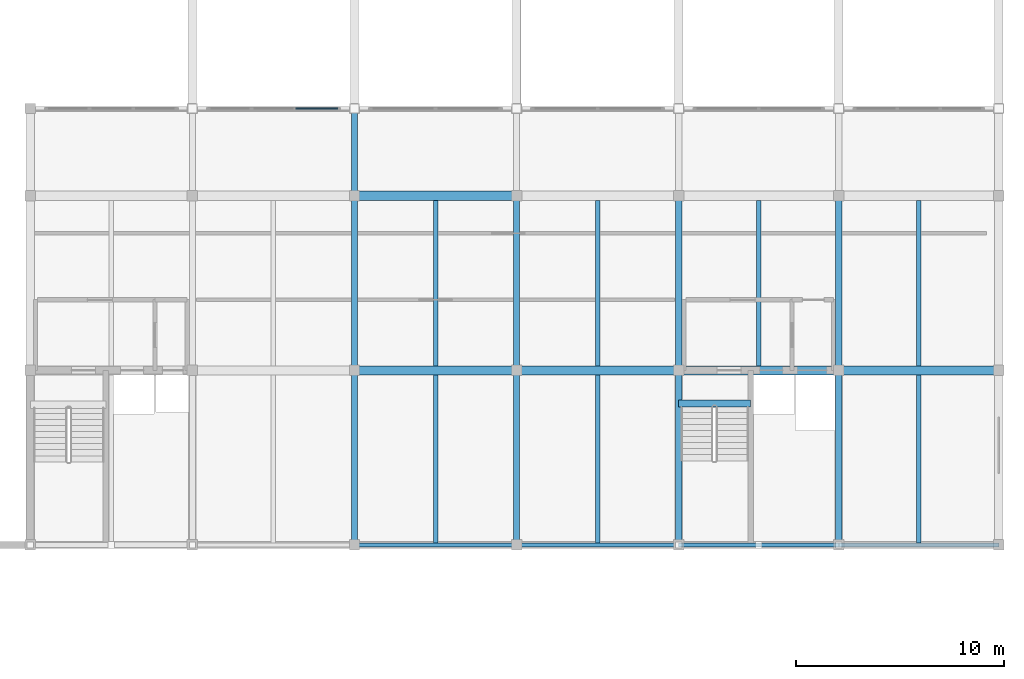
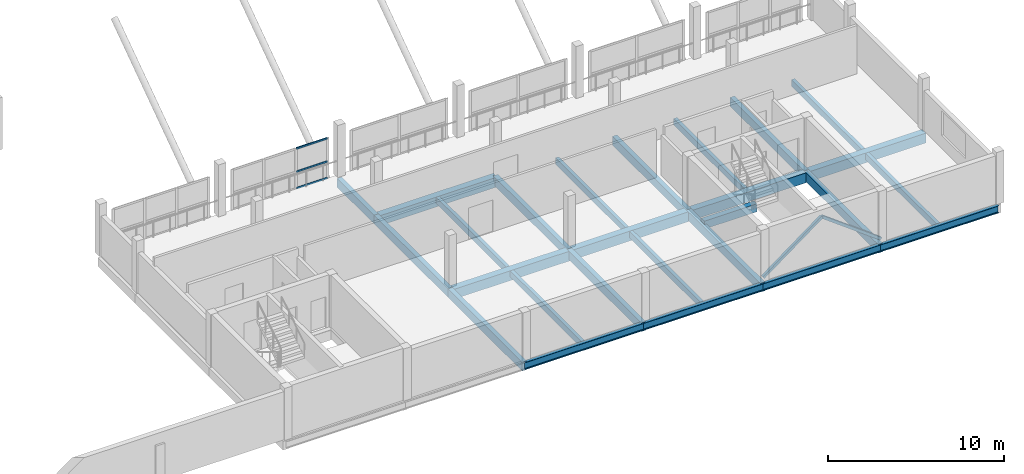
# One storey, part 27 of 51: 26 beams, 5 members, 1 element without a shape of its own.
"""IFC4 building model written with IfcOpenShell, lengths in metres."""

from ifc_helpers import new_model, si_unit, direction, frame, origin, origin_2d, place, context, subcontext, project, spatial, rectangle, hollow_rectangle, i_section, extrude, material, material_profile, profile_set, type_object, element, aggregate, save


model = new_model("IFC4")

# Units and contexts
model_context = context("Model", 3, precision=1e-05, world=origin(), true_north=direction((0.0, 1.0)))
body_context = subcontext(model_context, "Body", "Model", "MODEL_VIEW")
ifc_project = project(units=[si_unit("LENGTHUNIT", "METRE"), si_unit("AREAUNIT", "SQUARE_METRE"), si_unit("VOLUMEUNIT", "CUBIC_METRE"), si_unit("PLANEANGLEUNIT", "RADIAN"), si_unit("MASSUNIT", "GRAM", prefix="KILO")], contexts=[model_context])

# Site, building, storey
site_placement = place(None, origin())
site = spatial("IfcSite", under=ifc_project, at=site_placement, CompositionType="ELEMENT")
building_placement = place(site_placement, origin())
building = spatial("IfcBuilding", under=site, at=building_placement, Name="Vharandega Faculty of Natural Sciences", CompositionType="ELEMENT")
storey_placement = place(building_placement, frame((0.0, 0.0, 14.39990234375)))
storey = spatial("IfcBuildingStorey", under=building, at=storey_placement, Name="L03", CompositionType="ELEMENT", Elevation=14.39990234375)

# Curtain wall, members
ifc_material_1 = material(Name="Aluminium and solar-control glass curtain wall", Category="aluminium")
curtain_wall_type = type_object("IfcCurtainWallType", Name="Unitised Curtain Wall System CW-16", PredefinedType="NOTDEFINED", material=ifc_material_1)
curtain_wall_placement = place(storey_placement, origin())
curtain_wall = element("IfcCurtainWall", 1, at=curtain_wall_placement, inside=storey, type_object=curtain_wall_type, Name="Curtain Wall CW-L03-015", PredefinedType="NOTDEFINED")
ifc_material_2 = material(Name="Thermally broken aluminium 6063-T6", Category="aluminium")
ifc_material_profile_1 = material_profile(ifc_material_2, rectangle(XDim=0.06005859375, YDim=0.1201171875, at=origin_2d()), Name="ALU 60x120")
ifc_profile_set_1 = profile_set([ifc_material_profile_1], Name="Thermally broken aluminium 6063-T6")
member_type_1 = type_object("IfcMemberType", Name="CW Transom 60x120", PredefinedType="USERDEFINED", material=ifc_profile_set_1)
member_1_placement = place(storey_placement, frame((127.583251953125, 85.0, 0.030029296875), z_axis=(1.0, 0.0, 0.0), x_axis=(0.0, 1.0, 0.0)))
member_1 = element("IfcMember", 2, at=member_1_placement, type_object=member_type_1, Name="CW-16 transom 3.1", ObjectType="TRANSOM", PredefinedType="USERDEFINED", context=body_context, shape_type="SweptSolid", body=[
    extrude(rectangle(XDim=0.06005859375, YDim=0.1201171875, at=origin_2d()), origin(), (0.0, 0.0, 1.0), 2.016845703125),
])
member_2_placement = place(storey_placement, frame((127.583251953125, 85.0, 1.176025390625), z_axis=(1.0, 0.0, 0.0), x_axis=(0.0, 1.0, 0.0)))
member_2 = element("IfcMember", 3, at=member_2_placement, type_object=member_type_1, Name="CW-16 transom 3.2", ObjectType="TRANSOM", PredefinedType="USERDEFINED", context=body_context, shape_type="SweptSolid", body=[
    extrude(rectangle(XDim=0.06005859375, YDim=0.1201171875, at=origin_2d()), origin(), (0.0, 0.0, 1.0), 2.016845703125),
])
member_3_placement = place(storey_placement, frame((127.583251953125, 85.0, 2.77001953125), z_axis=(1.0, 0.0, 0.0), x_axis=(0.0, 1.0, 0.0)))
member_3 = element("IfcMember", 4, at=member_3_placement, type_object=member_type_1, Name="CW-16 transom 3.3", ObjectType="TRANSOM", PredefinedType="USERDEFINED", context=body_context, shape_type="SweptSolid", body=[
    extrude(rectangle(XDim=0.06005859375, YDim=0.1201171875, at=origin_2d()), origin(), (0.0, 0.0, 1.0), 2.016845703125),
])
aggregate(curtain_wall, [member_1, member_2, member_3])

# Beams
ifc_material_3 = material(Name="Glulam GL28h", Category="wood")
ifc_material_profile_2 = material_profile(ifc_material_3, rectangle(XDim=0.300048828125, YDim=0.60009765625, at=origin_2d()), Name="GL28h 300x600")
ifc_profile_set_2 = profile_set([ifc_material_profile_2], Name="Glulam GL28h")
beam_type_1 = type_object("IfcBeamType", Name="Glulam Floor Beam 300x600", PredefinedType="BEAM", material=ifc_profile_set_2)
beam_1_placement = place(storey_placement, frame((130.39990234375, 64.0, -0.539794921875), z_axis=(0.0, 1.0, 0.0), x_axis=(-1.0, 0.0, 0.0)))
element("IfcBeam", 5, at=beam_1_placement, inside=storey, type_object=beam_type_1, Name="Beam L03 17/J-K", PredefinedType="BEAM", context=body_context, shape_type="SweptSolid", body=[
    extrude(rectangle(XDim=0.300048828125, YDim=0.60009765625, at=origin_2d()), origin(), (0.0, 0.0, 1.0), 8.39990234375),
])
beam_2_placement = place(storey_placement, frame((130.39990234375, 72.39990234375, -0.539794921875), z_axis=(0.0, 1.0, 0.0), x_axis=(-1.0, 0.0, 0.0)))
element("IfcBeam", 6, at=beam_2_placement, inside=storey, type_object=beam_type_1, Name="Beam L03 17/K-L", PredefinedType="BEAM", context=body_context, shape_type="SweptSolid", body=[
    extrude(rectangle(XDim=0.300048828125, YDim=0.60009765625, at=origin_2d()), origin(), (0.0, 0.0, 1.0), 8.400146484375),
])
beam_3_placement = place(storey_placement, frame((130.39990234375, 80.800048828125, -0.539794921875), z_axis=(0.0, 1.0, 0.0), x_axis=(-1.0, 0.0, 0.0)))
element("IfcBeam", 7, at=beam_3_placement, inside=storey, type_object=beam_type_1, Name="Beam L03 17/L-M", PredefinedType="BEAM", context=body_context, shape_type="SweptSolid", body=[
    extrude(rectangle(XDim=0.300048828125, YDim=0.60009765625, at=origin_2d()), origin(), (0.0, 0.0, 1.0), 4.199951171875),
])
beam_4_placement = place(storey_placement, frame((138.199951171875, 64.0, -0.539794921875), z_axis=(0.0, 1.0, 0.0), x_axis=(-1.0, 0.0, 0.0)))
element("IfcBeam", 8, at=beam_4_placement, inside=storey, type_object=beam_type_1, Name="Beam L03 18/J-K", PredefinedType="BEAM", context=body_context, shape_type="SweptSolid", body=[
    extrude(rectangle(XDim=0.300048828125, YDim=0.60009765625, at=origin_2d()), origin(), (0.0, 0.0, 1.0), 8.39990234375),
])
beam_5_placement = place(storey_placement, frame((138.199951171875, 72.39990234375, -0.539794921875), z_axis=(0.0, 1.0, 0.0), x_axis=(-1.0, 0.0, 0.0)))
element("IfcBeam", 9, at=beam_5_placement, inside=storey, type_object=beam_type_1, Name="Beam L03 18/K-L", PredefinedType="BEAM", context=body_context, shape_type="SweptSolid", body=[
    extrude(rectangle(XDim=0.300048828125, YDim=0.60009765625, at=origin_2d()), origin(), (0.0, 0.0, 1.0), 8.400146484375),
])
beam_6_placement = place(storey_placement, frame((146.0, 64.0, -0.539794921875), z_axis=(0.0, 1.0, 0.0), x_axis=(-1.0, 0.0, 0.0)))
element("IfcBeam", 10, at=beam_6_placement, inside=storey, type_object=beam_type_1, Name="Beam L03 19/J-K", PredefinedType="BEAM", context=body_context, shape_type="SweptSolid", body=[
    extrude(rectangle(XDim=0.300048828125, YDim=0.60009765625, at=origin_2d()), origin(), (0.0, 0.0, 1.0), 8.39990234375),
])
beam_7_placement = place(storey_placement, frame((146.0, 72.39990234375, -0.539794921875), z_axis=(0.0, 1.0, 0.0), x_axis=(-1.0, 0.0, 0.0)))
element("IfcBeam", 11, at=beam_7_placement, inside=storey, type_object=beam_type_1, Name="Beam L03 19/K-L", PredefinedType="BEAM", context=body_context, shape_type="SweptSolid", body=[
    extrude(rectangle(XDim=0.300048828125, YDim=0.60009765625, at=origin_2d()), origin(), (0.0, 0.0, 1.0), 8.400146484375),
])
beam_8_placement = place(storey_placement, frame((153.699951171875, 64.0, -0.539794921875), z_axis=(0.0, 1.0, 0.0), x_axis=(-1.0, 0.0, 0.0)))
element("IfcBeam", 12, at=beam_8_placement, inside=storey, type_object=beam_type_1, Name="Beam L03 20/J-K", PredefinedType="BEAM", context=body_context, shape_type="SweptSolid", body=[
    extrude(rectangle(XDim=0.300048828125, YDim=0.60009765625, at=origin_2d()), origin(), (0.0, 0.0, 1.0), 8.39990234375),
])
beam_9_placement = place(storey_placement, frame((153.699951171875, 72.39990234375, -0.539794921875), z_axis=(0.0, 1.0, 0.0), x_axis=(-1.0, 0.0, 0.0)))
element("IfcBeam", 13, at=beam_9_placement, inside=storey, type_object=beam_type_1, Name="Beam L03 20/K-L", PredefinedType="BEAM", context=body_context, shape_type="SweptSolid", body=[
    extrude(rectangle(XDim=0.300048828125, YDim=0.60009765625, at=origin_2d()), origin(), (0.0, 0.0, 1.0), 8.400146484375),
])
ifc_material_4 = material(Name="Glulam GL32h", Category="wood")
ifc_material_profile_3 = material_profile(ifc_material_4, rectangle(XDim=0.43994140625, YDim=0.679931640625, at=origin_2d()), Name="GL32h 440x680")
ifc_profile_set_3 = profile_set([ifc_material_profile_3], Name="Glulam GL32h")
beam_type_2 = type_object("IfcBeamType", Name="Glulam Girder 440x680", PredefinedType="BEAM", material=ifc_profile_set_3)
for number, where, z_axis, x_axis, name in (
    (14, (130.39990234375, 72.39990234375, -0.579833984375), (1.0, 0.0, 0.0), (0.0, 1.0, 0.0), "Beam L03 K/17-18"),
    (15, (138.199951171875, 72.39990234375, -0.579833984375), (1.0, 0.0, 0.0), (0.0, 1.0, 0.0), "Beam L03 K/18-19"),
):
    element("IfcBeam", number, at=place(storey_placement, frame(where, z_axis=z_axis, x_axis=x_axis)), inside=storey, type_object=beam_type_2, Name=name, PredefinedType="BEAM", context=body_context, shape_type="SweptSolid", body=[
        extrude(rectangle(XDim=0.43994140625, YDim=0.679931640625, at=origin_2d()), origin(), (0.0, 0.0, 1.0), 7.800048828125),
    ])
for number, where, z_axis, x_axis, name in (
    (16, (146.0, 72.39990234375, -0.579833984375), (1.0, 0.0, 0.0), (0.0, 1.0, 0.0), "Beam L03 K/19-20"),
    (17, (153.699951171875, 72.39990234375, -0.579833984375), (1.0, 0.0, 0.0), (0.0, 1.0, 0.0), "Beam L03 K/20-21"),
):
    element("IfcBeam", number, at=place(storey_placement, frame(where, z_axis=z_axis, x_axis=x_axis)), inside=storey, type_object=beam_type_2, Name=name, PredefinedType="BEAM", context=body_context, shape_type="SweptSolid", body=[
        extrude(rectangle(XDim=0.43994140625, YDim=0.679931640625, at=origin_2d()), origin(), (0.0, 0.0, 1.0), 7.699951171875),
    ])
beam_10_placement = place(storey_placement, frame((130.39990234375, 80.800048828125, -0.579833984375), z_axis=(1.0, 0.0, 0.0), x_axis=(0.0, 1.0, 0.0)))
element("IfcBeam", 18, at=beam_10_placement, inside=storey, type_object=beam_type_2, Name="Beam L03 L/17-18", PredefinedType="BEAM", context=body_context, shape_type="SweptSolid", body=[
    extrude(rectangle(XDim=0.43994140625, YDim=0.679931640625, at=origin_2d()), origin(), (0.0, 0.0, 1.0), 7.800048828125),
])
ifc_material_5 = material(Name="Glulam GL28h", Category="wood")
ifc_material_profile_4 = material_profile(ifc_material_5, rectangle(XDim=0.219970703125, YDim=0.43994140625, at=origin_2d()), Name="GL28h 220x440")
ifc_profile_set_4 = profile_set([ifc_material_profile_4], Name="Glulam GL28h")
beam_type_3 = type_object("IfcBeamType", Name="Glulam Secondary Joist 220x440", PredefinedType="JOIST", material=ifc_profile_set_4)
beam_11_placement = place(storey_placement, frame((134.300048828125, 64.10009765625, -0.4599609375), z_axis=(0.0, 1.0, 0.0), x_axis=(-1.0, 0.0, 0.0)))
element("IfcBeam", 19, at=beam_11_placement, inside=storey, type_object=beam_type_3, Name="Secondary Joist L03 17-18/J-K", PredefinedType="JOIST", context=body_context, shape_type="SweptSolid", body=[
    extrude(rectangle(XDim=0.219970703125, YDim=0.43994140625, at=origin_2d()), origin(), (0.0, 0.0, 1.0), 8.079833984375),
])
beam_12_placement = place(storey_placement, frame((134.300048828125, 72.6201171875, -0.4599609375), z_axis=(0.0, 1.0, 0.0), x_axis=(-1.0, 0.0, 0.0)))
element("IfcBeam", 20, at=beam_12_placement, inside=storey, type_object=beam_type_3, Name="Secondary Joist L03 17-18/K-L", PredefinedType="JOIST", context=body_context, shape_type="SweptSolid", body=[
    extrude(rectangle(XDim=0.219970703125, YDim=0.43994140625, at=origin_2d()), origin(), (0.0, 0.0, 1.0), 7.9599609375),
])
beam_13_placement = place(storey_placement, frame((142.10009765625, 64.10009765625, -0.4599609375), z_axis=(0.0, 1.0, 0.0), x_axis=(-1.0, 0.0, 0.0)))
element("IfcBeam", 21, at=beam_13_placement, inside=storey, type_object=beam_type_3, Name="Secondary Joist L03 18-19/J-K", PredefinedType="JOIST", context=body_context, shape_type="SweptSolid", body=[
    extrude(rectangle(XDim=0.219970703125, YDim=0.43994140625, at=origin_2d()), origin(), (0.0, 0.0, 1.0), 8.079833984375),
])
for number, where, z_axis, x_axis, name in (
    (22, (142.10009765625, 72.6201171875, -0.4599609375), (0.0, 1.0, 0.0), (-1.0, 0.0, 0.0), "Secondary Joist L03 18-19/K-L"),
    (23, (149.85009765625, 72.6201171875, -0.4599609375), (0.0, 1.0, 0.0), (-1.0, 0.0, 0.0), "Secondary Joist L03 19-20/K-L"),
):
    element("IfcBeam", number, at=place(storey_placement, frame(where, z_axis=z_axis, x_axis=x_axis)), inside=storey, type_object=beam_type_3, Name=name, PredefinedType="JOIST", context=body_context, shape_type="SweptSolid", body=[
        extrude(rectangle(XDim=0.219970703125, YDim=0.43994140625, at=origin_2d()), origin(), (0.0, 0.0, 1.0), 7.9599609375),
    ])
beam_14_placement = place(storey_placement, frame((157.550048828125, 64.10009765625, -0.4599609375), z_axis=(0.0, 1.0, 0.0), x_axis=(-1.0, 0.0, 0.0)))
element("IfcBeam", 24, at=beam_14_placement, inside=storey, type_object=beam_type_3, Name="Secondary Joist L03 20-21/J-K", PredefinedType="JOIST", context=body_context, shape_type="SweptSolid", body=[
    extrude(rectangle(XDim=0.219970703125, YDim=0.43994140625, at=origin_2d()), origin(), (0.0, 0.0, 1.0), 8.079833984375),
])
beam_15_placement = place(storey_placement, frame((157.550048828125, 72.6201171875, -0.4599609375), z_axis=(0.0, 1.0, 0.0), x_axis=(-1.0, 0.0, 0.0)))
element("IfcBeam", 25, at=beam_15_placement, inside=storey, type_object=beam_type_3, Name="Secondary Joist L03 20-21/K-L", PredefinedType="JOIST", context=body_context, shape_type="SweptSolid", body=[
    extrude(rectangle(XDim=0.219970703125, YDim=0.43994140625, at=origin_2d()), origin(), (0.0, 0.0, 1.0), 7.9599609375),
])
ifc_material_6 = material(Name="Concrete C40/50", Category="concrete")
ifc_material_profile_5 = material_profile(ifc_material_6, rectangle(XDim=0.35009765625, YDim=0.550048828125, at=origin_2d()), Name="RC 350x550")
ifc_profile_set_5 = profile_set([ifc_material_profile_5], Name="Concrete C40/50")
beam_type_4 = type_object("IfcBeamType", Name="Stair Header Trimmer Beam 350x550", PredefinedType="BEAM", material=ifc_profile_set_5)
beam_16_placement = place(storey_placement, frame((146.0, 70.800048828125, -0.27490234375), z_axis=(1.0, 0.0, 0.0), x_axis=(0.0, 1.0, 0.0)))
element("IfcBeam", 26, at=beam_16_placement, inside=storey, type_object=beam_type_4, Name="Stair Landing Trimmer Beam C2 L03", PredefinedType="BEAM", context=body_context, shape_type="SweptSolid", body=[
    extrude(rectangle(XDim=0.35009765625, YDim=0.550048828125, at=origin_2d()), origin(), (0.0, 0.0, 1.0), 3.4599609375),
])
ifc_material_7 = material(Name="Steel S355", Category="steel")
ifc_material_profile_6 = material_profile(ifc_material_7, i_section(OverallWidth=0.199951171875, OverallDepth=0.5, WebThickness=0.01025390625, FlangeThickness=0.01611328125, FilletRadius=0.02099609375, at=origin_2d()), Name="IPE 500")
ifc_profile_set_6 = profile_set([ifc_material_profile_6], Name="Steel S355")
beam_type_5 = type_object("IfcBeamType", Name="Steel Spandrel Beam IPE 500", PredefinedType="SPANDREL", material=ifc_profile_set_6)
for number, where, z_axis, x_axis, name in (
    (27, (130.39990234375, 64.0, -0.489990234375), (1.0, 0.0, 0.0), (0.0, 1.0, 0.0), "Beam L03 J/17-18"),
    (28, (138.199951171875, 64.0, -0.489990234375), (1.0, 0.0, 0.0), (0.0, 1.0, 0.0), "Beam L03 J/18-19"),
):
    element("IfcBeam", number, at=place(storey_placement, frame(where, z_axis=z_axis, x_axis=x_axis)), inside=storey, type_object=beam_type_5, Name=name, PredefinedType="SPANDREL", context=body_context, shape_type="SweptSolid", body=[
        extrude(i_section(OverallWidth=0.199951171875, OverallDepth=0.5, WebThickness=0.01025390625, FlangeThickness=0.01611328125, FilletRadius=0.02099609375, at=origin_2d()), origin(), (0.0, 0.0, 1.0), 7.800048828125),
    ])
for number, where, z_axis, x_axis, name in (
    (29, (146.0, 64.0, -0.489990234375), (1.0, 0.0, 0.0), (0.0, 1.0, 0.0), "Beam L03 J/19-20"),
    (30, (153.699951171875, 64.0, -0.489990234375), (1.0, 0.0, 0.0), (0.0, 1.0, 0.0), "Beam L03 J/20-21"),
):
    element("IfcBeam", number, at=place(storey_placement, frame(where, z_axis=z_axis, x_axis=x_axis)), inside=storey, type_object=beam_type_5, Name=name, PredefinedType="SPANDREL", context=body_context, shape_type="SweptSolid", body=[
        extrude(i_section(OverallWidth=0.199951171875, OverallDepth=0.5, WebThickness=0.01025390625, FlangeThickness=0.01611328125, FilletRadius=0.02099609375, at=origin_2d()), origin(), (0.0, 0.0, 1.0), 7.699951171875),
    ])

# Members
ifc_material_8 = material(Name="Steel S355", Category="steel")
ifc_material_profile_7 = material_profile(ifc_material_8, hollow_rectangle(XDim=0.179931640625, YDim=0.179931640625, WallThickness=0.010009765625, at=origin_2d()), Name="SHS 180x180x10")
ifc_profile_set_7 = profile_set([ifc_material_profile_7], Name="Steel S355")
member_type_2 = type_object("IfcMemberType", Name="Timber Frame Diagonal Brace SHS 180", PredefinedType="BRACE", material=ifc_profile_set_7)
member_4_placement = place(storey_placement, frame((146.0, 64.0, 0.150146484375), z_axis=(0.802764734126, 0.0, 0.596295884309), x_axis=(0.0, 1.0, 0.0)))
element("IfcMember", 31, at=member_4_placement, inside=storey, type_object=member_type_2, Name="Chevron Brace J2 L03-1", PredefinedType="BRACE", context=body_context, shape_type="SweptSolid", body=[
    extrude(hollow_rectangle(XDim=0.179931640625, YDim=0.179931640625, WallThickness=0.010009765625, at=origin_2d()), origin(), (0.0, 0.0, 1.0), 4.796142578125),
])
member_5_placement = place(storey_placement, frame((153.699951171875, 64.0, 0.150146484375), z_axis=(-0.802746632948, 0.0, 0.59632025229), x_axis=(0.0, -1.0, 0.0)))
element("IfcMember", 32, at=member_5_placement, inside=storey, type_object=member_type_2, Name="Chevron Brace J2 L03-2", PredefinedType="BRACE", context=body_context, shape_type="SweptSolid", body=[
    extrude(hollow_rectangle(XDim=0.179931640625, YDim=0.179931640625, WallThickness=0.010009765625, at=origin_2d()), origin(), (0.0, 0.0, 1.0), 4.7958984375),
])

save(model, "model.ifc")
